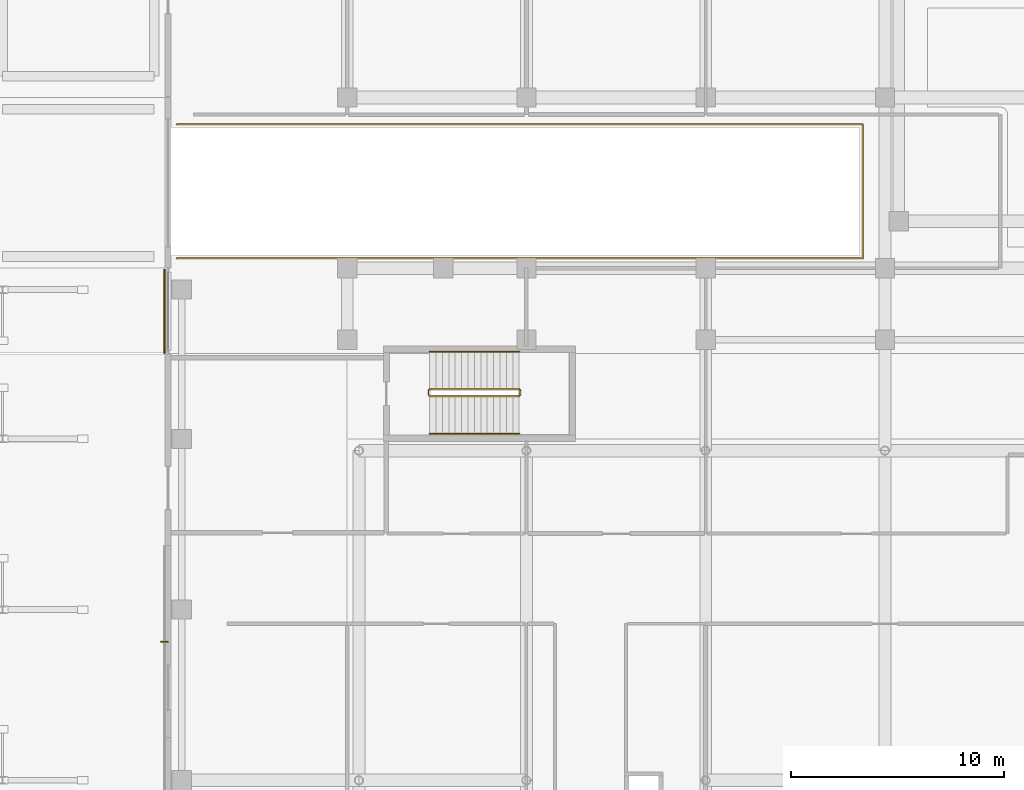
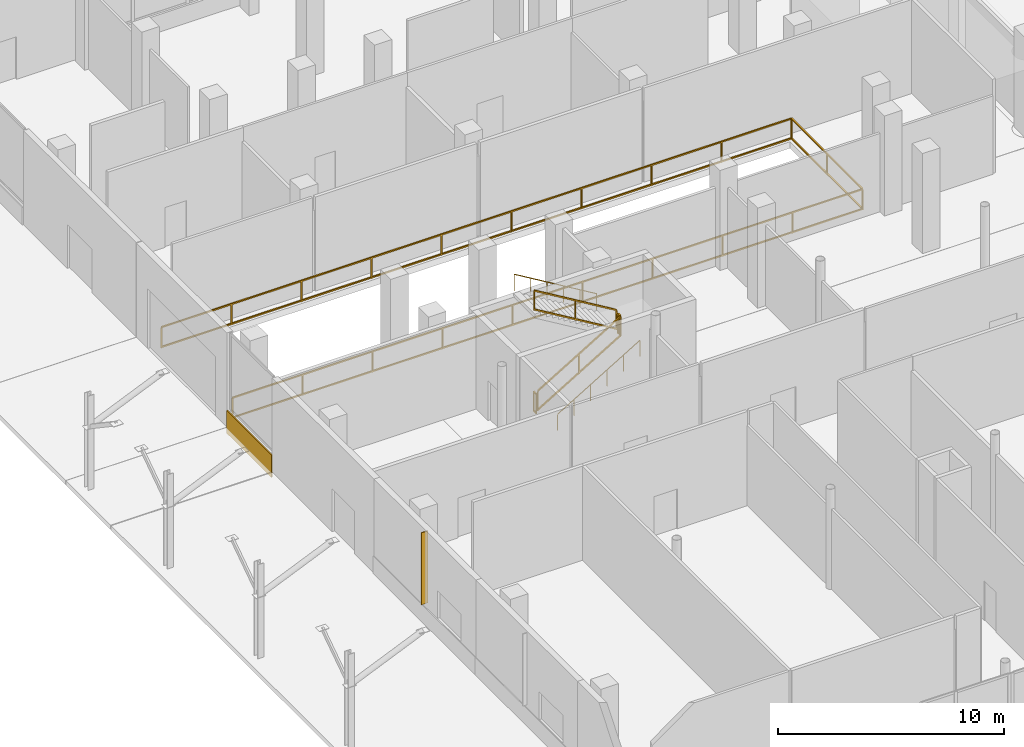
# One storey, part 152 of 158: 7 railings, 1 covering, 1 shading device.
"""IFC4 building model written with IfcOpenShell, lengths in metres."""

from ifc_helpers import new_model, si_unit, direction, frame, origin, origin_2d, place, context, subcontext, project, spatial, rectangle, circle, extrude, material, layer, layer_set, type_object, element, save


model = new_model("IFC4")

# Units and contexts
model_context = context("Model", 3, precision=1e-05, world=origin(), true_north=direction((0.0, 1.0)))
body_context = subcontext(model_context, "Body", "Model", "MODEL_VIEW")
ifc_project = project(units=[si_unit("LENGTHUNIT", "METRE"), si_unit("AREAUNIT", "SQUARE_METRE"), si_unit("VOLUMEUNIT", "CUBIC_METRE"), si_unit("PLANEANGLEUNIT", "RADIAN"), si_unit("MASSUNIT", "GRAM", prefix="KILO")], contexts=[model_context])

# Site, building, storey
site_placement = place(None, origin())
site = spatial("IfcSite", under=ifc_project, at=site_placement, CompositionType="ELEMENT")
building_placement = place(site_placement, origin())
building = spatial("IfcBuilding", under=site, at=building_placement, Name="Selatvlak General Hospital", CompositionType="ELEMENT")
storey_placement = place(building_placement, origin())
storey = spatial("IfcBuildingStorey", under=building, at=storey_placement, Name="L00", CompositionType="ELEMENT", Elevation=0.0)

# Covering
ifc_material_1 = material(Name="White Bauhaus fair-faced cladding panel")
ifc_layer_1 = layer(ifc_material_1, 0.054931640625, Name="White Bauhaus fair-faced cladding panel")
ifc_layer_set_1 = layer_set([ifc_layer_1], Name="White Bauhaus fair-faced cladding panel")
covering_type = type_object("IfcCoveringType", Name="COV-WHT1", PredefinedType="CLADDING", material=ifc_layer_set_1)
covering_placement = place(storey_placement, frame((14.235107421875, 89.97998046875, -0.27978515625), z_axis=(0.0, 0.0, 1.0), x_axis=(0.0, 1.0, 0.0)))
element("IfcCovering", 1, at=covering_placement, inside=storey, type_object=covering_type, Name="L00 Bauhaus horizontal white spandrel band 0003", PredefinedType="CLADDING", context=body_context, shape_type="SweptSolid", body=[
    extrude(rectangle(XDim=3.9609375, YDim=0.054931640625, at=origin_2d()), origin(), (0.0, 0.0, 1.0), 1.219970703125),
])

# Railings
ifc_material_2 = material(Name="Stainless steel 316 perimeter guardrail", Category="steel")
railing_type_1 = type_object("IfcRailingType", Name="RAIL-GRD1", PredefinedType="GUARDRAIL", material=ifc_material_2)
railing_1_placement = place(storey_placement, frame((14.800048828125, 98.739990234375, 0.0)))
element("IfcRailing", 2, at=railing_1_placement, inside=storey, type_object=railing_type_1, Name="L00 vehicle ramp opening continuous guard", PredefinedType="GUARDRAIL", context=body_context, shape_type="SweptSolid", body=[
    extrude(rectangle(XDim=0.068115234375, YDim=0.068115234375, at=origin_2d()), frame((0.0029296875, 0.0, 1.11572265625), z_axis=(1.0, 0.0, 0.0), x_axis=(0.0, 1.0, 0.0)), (0.0, 0.0, 1.0), 32.154052734375),
    extrude(rectangle(XDim=0.068115234375, YDim=0.068115234375, at=origin_2d()), frame((0.0029296875, 0.0, 0.049072265625), z_axis=(1.0, 0.0, 0.0), x_axis=(0.0, 1.0, 0.0)), (0.0, 0.0, 1.0), 32.154052734375),
    extrude(rectangle(XDim=0.068115234375, YDim=0.068115234375, at=origin_2d()), frame((32.159912109375, -0.0029296875, 1.11572265625), z_axis=(0.0, -1.0, 0.0), x_axis=(1.0, 0.0, 0.0)), (0.0, 0.0, 1.0), 6.274169921875),
    extrude(rectangle(XDim=0.068115234375, YDim=0.068115234375, at=origin_2d()), frame((32.159912109375, -0.0029296875, 0.049072265625), z_axis=(0.0, -1.0, 0.0), x_axis=(1.0, 0.0, 0.0)), (0.0, 0.0, 1.0), 6.274169921875),
    extrude(rectangle(XDim=0.068115234375, YDim=0.068115234375, at=origin_2d()), frame((32.156982421875, -6.280029296875, 1.11572265625), z_axis=(-1.0, 0.0, 0.0), x_axis=(0.0, -1.0, 0.0)), (0.0, 0.0, 1.0), 32.154052734375),
    extrude(rectangle(XDim=0.068115234375, YDim=0.068115234375, at=origin_2d()), frame((32.156982421875, -6.280029296875, 0.049072265625), z_axis=(-1.0, 0.0, 0.0), x_axis=(0.0, -1.0, 0.0)), (0.0, 0.0, 1.0), 32.154052734375),
    extrude(rectangle(XDim=0.055908203125, YDim=0.055908203125, at=origin_2d()), origin(), (0.0, 0.0, 1.0), 1.078857421875),
    extrude(rectangle(XDim=0.055908203125, YDim=0.055908203125, at=origin_2d()), frame((3.5732421875, 0.0, 0.0)), (0.0, 0.0, 1.0), 1.078857421875),
    extrude(rectangle(XDim=0.055908203125, YDim=0.055908203125, at=origin_2d()), frame((7.146728515625, 0.0, 0.0)), (0.0, 0.0, 1.0), 1.078857421875),
    extrude(rectangle(XDim=0.055908203125, YDim=0.055908203125, at=origin_2d()), frame((10.719970703125, 0.0, 0.0)), (0.0, 0.0, 1.0), 1.078857421875),
    extrude(rectangle(XDim=0.055908203125, YDim=0.055908203125, at=origin_2d()), frame((14.293212890625, 0.0, 0.0)), (0.0, 0.0, 1.0), 1.078857421875),
    extrude(rectangle(XDim=0.055908203125, YDim=0.055908203125, at=origin_2d()), frame((17.86669921875, 0.0, 0.0)), (0.0, 0.0, 1.0), 1.078857421875),
    extrude(rectangle(XDim=0.055908203125, YDim=0.055908203125, at=origin_2d()), frame((21.43994140625, 0.0, 0.0)), (0.0, 0.0, 1.0), 1.078857421875),
    extrude(rectangle(XDim=0.055908203125, YDim=0.055908203125, at=origin_2d()), frame((25.01318359375, 0.0, 0.0)), (0.0, 0.0, 1.0), 1.078857421875),
    extrude(rectangle(XDim=0.055908203125, YDim=0.055908203125, at=origin_2d()), frame((28.586669921875, 0.0, 0.0)), (0.0, 0.0, 1.0), 1.078857421875),
    extrude(rectangle(XDim=0.055908203125, YDim=0.055908203125, at=origin_2d()), frame((32.159912109375, 0.0, 0.0)), (0.0, 0.0, 1.0), 1.078857421875),
    extrude(rectangle(XDim=0.055908203125, YDim=0.055908203125, at=origin_2d()), frame((32.159912109375, -3.14013671875, 0.0)), (0.0, 0.0, 1.0), 1.078857421875),
    extrude(rectangle(XDim=0.055908203125, YDim=0.055908203125, at=origin_2d()), frame((32.159912109375, -6.280029296875, 0.0)), (0.0, 0.0, 1.0), 1.078857421875),
    extrude(rectangle(XDim=0.055908203125, YDim=0.055908203125, at=origin_2d()), frame((28.586669921875, -6.280029296875, 0.0)), (0.0, 0.0, 1.0), 1.078857421875),
    extrude(rectangle(XDim=0.055908203125, YDim=0.055908203125, at=origin_2d()), frame((25.01318359375, -6.280029296875, 0.0)), (0.0, 0.0, 1.0), 1.078857421875),
    extrude(rectangle(XDim=0.055908203125, YDim=0.055908203125, at=origin_2d()), frame((21.43994140625, -6.280029296875, 0.0)), (0.0, 0.0, 1.0), 1.078857421875),
    extrude(rectangle(XDim=0.055908203125, YDim=0.055908203125, at=origin_2d()), frame((17.86669921875, -6.280029296875, 0.0)), (0.0, 0.0, 1.0), 1.078857421875),
    extrude(rectangle(XDim=0.055908203125, YDim=0.055908203125, at=origin_2d()), frame((14.293212890625, -6.280029296875, 0.0)), (0.0, 0.0, 1.0), 1.078857421875),
    extrude(rectangle(XDim=0.055908203125, YDim=0.055908203125, at=origin_2d()), frame((10.719970703125, -6.280029296875, 0.0)), (0.0, 0.0, 1.0), 1.078857421875),
    extrude(rectangle(XDim=0.055908203125, YDim=0.055908203125, at=origin_2d()), frame((7.146728515625, -6.280029296875, 0.0)), (0.0, 0.0, 1.0), 1.078857421875),
    extrude(rectangle(XDim=0.055908203125, YDim=0.055908203125, at=origin_2d()), frame((3.5732421875, -6.280029296875, 0.0)), (0.0, 0.0, 1.0), 1.078857421875),
    extrude(rectangle(XDim=0.055908203125, YDim=0.055908203125, at=origin_2d()), frame((0.0, -6.280029296875, 0.0)), (0.0, 0.0, 1.0), 1.078857421875),
])
ifc_material_3 = material(Name="Stainless steel 316 stair guard", Category="steel")
railing_type_2 = type_object("IfcRailingType", Name="RAIL-STG", PredefinedType="GUARDRAIL", material=ifc_material_3)
railing_2_placement = place(storey_placement, frame((26.659912109375, 86.010009765625, 0.179931640625)))
element("IfcRailing", 3, at=railing_2_placement, inside=storey, type_object=railing_type_2, Name="L00 ST-07 stair guard 1", PredefinedType="GUARDRAIL", context=body_context, shape_type="SweptSolid", body=[
    extrude(rectangle(XDim=0.068115234375, YDim=0.068115234375, at=origin_2d()), frame((0.00244140625, 0.0, 1.067626953125), z_axis=(0.857501721439, 0.0, 0.514481095599), x_axis=(0.0, 1.0, 0.0)), (0.0, 0.0, 1.0), 4.892333984375),
    extrude(rectangle(XDim=0.068115234375, YDim=0.068115234375, at=origin_2d()), frame((0.00244140625, 0.0, 0.050537109375), z_axis=(0.857501721439, 0.0, 0.514481095599), x_axis=(0.0, 1.0, 0.0)), (0.0, 0.0, 1.0), 4.892333984375),
    extrude(rectangle(XDim=0.055908203125, YDim=0.055908203125, at=origin_2d()), origin(), (0.0, 0.0, 1.0), 1.029052734375),
    extrude(rectangle(XDim=0.055908203125, YDim=0.055908203125, at=origin_2d()), frame((2.10009765625, 0.0, 1.260009765625)), (0.0, 0.0, 1.0), 1.029052734375),
    extrude(rectangle(XDim=0.055908203125, YDim=0.055908203125, at=origin_2d()), frame((4.2001953125, 0.0, 2.52001953125)), (0.0, 0.0, 1.0), 1.029052734375),
])
railing_3_placement = place(storey_placement, frame((30.909912109375, 86.06005859375, 2.699951171875)))
element("IfcRailing", 4, at=railing_3_placement, inside=storey, type_object=railing_type_2, Name="L00 ST-07 stair guard 2", PredefinedType="GUARDRAIL", context=body_context, shape_type="SweptSolid", body=[
    extrude(rectangle(XDim=0.068115234375, YDim=0.068115234375, at=origin_2d()), frame((0.0, 0.0029296875, 1.06591796875), z_axis=(0.0, 1.0, 0.0), x_axis=(-1.0, 0.0, 0.0)), (0.0, 0.0, 1.0), 0.214111328125),
    extrude(rectangle(XDim=0.068115234375, YDim=0.068115234375, at=origin_2d()), frame((0.0, 0.0029296875, 0.049072265625), z_axis=(0.0, 1.0, 0.0), x_axis=(-1.0, 0.0, 0.0)), (0.0, 0.0, 1.0), 0.214111328125),
    extrude(rectangle(XDim=0.055908203125, YDim=0.055908203125, at=origin_2d()), origin(), (0.0, 0.0, 1.0), 1.029052734375),
    extrude(rectangle(XDim=0.055908203125, YDim=0.055908203125, at=origin_2d()), frame((0.0, 0.219970703125, 0.0)), (0.0, 0.0, 1.0), 1.029052734375),
])
railing_4_placement = place(storey_placement, frame((30.860107421875, 86.330078125, 2.8798828125)))
element("IfcRailing", 5, at=railing_4_placement, inside=storey, type_object=railing_type_2, Name="L00 ST-07 stair guard 3", PredefinedType="GUARDRAIL", context=body_context, shape_type="SweptSolid", body=[
    extrude(rectangle(XDim=0.068115234375, YDim=0.068115234375, at=origin_2d()), frame((-0.00244140625, 0.0, 1.067626953125), z_axis=(-0.857501721439, 0.0, 0.514481095599), x_axis=(0.0, -1.0, 0.0)), (0.0, 0.0, 1.0), 4.892333984375),
    extrude(rectangle(XDim=0.068115234375, YDim=0.068115234375, at=origin_2d()), frame((-0.00244140625, 0.0, 0.050537109375), z_axis=(-0.857501721439, 0.0, 0.514481095599), x_axis=(0.0, -1.0, 0.0)), (0.0, 0.0, 1.0), 4.892333984375),
    extrude(rectangle(XDim=0.055908203125, YDim=0.055908203125, at=origin_2d()), origin(), (0.0, 0.0, 1.0), 1.029052734375),
    extrude(rectangle(XDim=0.055908203125, YDim=0.055908203125, at=origin_2d()), frame((-2.10009765625, 0.0, 1.260009765625)), (0.0, 0.0, 1.0), 1.029052734375),
    extrude(rectangle(XDim=0.055908203125, YDim=0.055908203125, at=origin_2d()), frame((-4.2001953125, 0.0, 2.52001953125)), (0.0, 0.0, 1.0), 1.029052734375),
])
railing_5_placement = place(storey_placement, frame((26.610107421875, 86.06005859375, 0.0)))
element("IfcRailing", 6, at=railing_5_placement, inside=storey, type_object=railing_type_2, Name="L00 ST-07 stair guard 4", PredefinedType="GUARDRAIL", context=body_context, shape_type="SweptSolid", body=[
    extrude(rectangle(XDim=0.068115234375, YDim=0.068115234375, at=origin_2d()), frame((0.0, 0.0029296875, 1.06591796875), z_axis=(0.0, 1.0, 0.0), x_axis=(-1.0, 0.0, 0.0)), (0.0, 0.0, 1.0), 0.214111328125),
    extrude(rectangle(XDim=0.068115234375, YDim=0.068115234375, at=origin_2d()), frame((0.0, 0.0029296875, 0.049072265625), z_axis=(0.0, 1.0, 0.0), x_axis=(-1.0, 0.0, 0.0)), (0.0, 0.0, 1.0), 0.214111328125),
    extrude(rectangle(XDim=0.055908203125, YDim=0.055908203125, at=origin_2d()), origin(), (0.0, 0.0, 1.0), 1.029052734375),
    extrude(rectangle(XDim=0.055908203125, YDim=0.055908203125, at=origin_2d()), frame((0.0, 0.219970703125, 0.0)), (0.0, 0.0, 1.0), 1.029052734375),
])
ifc_material_4 = material(Name="Stainless steel 316 handrail", Category="steel")
railing_type_3 = type_object("IfcRailingType", Name="RAIL-STH", PredefinedType="HANDRAIL", material=ifc_material_4)
railing_6_placement = place(storey_placement, frame((26.659912109375, 84.25, 0.179931640625)))
element("IfcRailing", 7, at=railing_6_placement, inside=storey, type_object=railing_type_3, Name="L00 ST-07 stair handrail 1", PredefinedType="HANDRAIL", context=body_context, shape_type="SweptSolid", body=[
    extrude(circle(Radius=0.02392578125, at=origin_2d()), frame((0.00244140625, 0.0, 0.87744140625), z_axis=(0.857501721439, 0.0, 0.514481095599), x_axis=(0.0, 1.0, 0.0)), (0.0, 0.0, 1.0), 4.892333984375),
    extrude(circle(Radius=0.02099609375, at=origin_2d()), origin(), (0.0, 0.0, 1.0), 0.848876953125),
    extrude(circle(Radius=0.02099609375, at=origin_2d()), frame((0.840087890625, 0.0, 0.50390625)), (0.0, 0.0, 1.0), 0.848876953125),
    extrude(circle(Radius=0.02099609375, at=origin_2d()), frame((1.68017578125, 0.0, 1.008056640625)), (0.0, 0.0, 1.0), 0.848876953125),
    extrude(circle(Radius=0.02099609375, at=origin_2d()), frame((2.52001953125, 0.0, 1.511962890625)), (0.0, 0.0, 1.0), 0.848876953125),
    extrude(circle(Radius=0.02099609375, at=origin_2d()), frame((3.360107421875, 0.0, 2.01611328125)), (0.0, 0.0, 1.0), 0.848876953125),
    extrude(circle(Radius=0.02099609375, at=origin_2d()), frame((4.2001953125, 0.0, 2.52001953125)), (0.0, 0.0, 1.0), 0.848876953125),
])
railing_7_placement = place(storey_placement, frame((30.860107421875, 88.090087890625, 2.8798828125)))
element("IfcRailing", 8, at=railing_7_placement, inside=storey, type_object=railing_type_3, Name="L00 ST-07 stair handrail 2", PredefinedType="HANDRAIL", context=body_context, shape_type="SweptSolid", body=[
    extrude(circle(Radius=0.02392578125, at=origin_2d()), frame((-0.00244140625, 0.0, 0.87744140625), z_axis=(-0.857501721439, 0.0, 0.514481095599), x_axis=(0.0, -1.0, 0.0)), (0.0, 0.0, 1.0), 4.892333984375),
    extrude(circle(Radius=0.02099609375, at=origin_2d()), origin(), (0.0, 0.0, 1.0), 0.848876953125),
    extrude(circle(Radius=0.02099609375, at=origin_2d()), frame((-0.840087890625, 0.0, 0.50390625)), (0.0, 0.0, 1.0), 0.848876953125),
    extrude(circle(Radius=0.02099609375, at=origin_2d()), frame((-1.68017578125, 0.0, 1.008056640625)), (0.0, 0.0, 1.0), 0.848876953125),
    extrude(circle(Radius=0.02099609375, at=origin_2d()), frame((-2.52001953125, 0.0, 1.511962890625)), (0.0, 0.0, 1.0), 0.848876953125),
    extrude(circle(Radius=0.02099609375, at=origin_2d()), frame((-3.360107421875, 0.0, 2.01611328125)), (0.0, 0.0, 1.0), 0.848876953125),
    extrude(circle(Radius=0.02099609375, at=origin_2d()), frame((-4.2001953125, 0.0, 2.52001953125)), (0.0, 0.0, 1.0), 0.848876953125),
])

# Shading device
ifc_material_5 = material(Name="Anodised aluminium brise-soleil fin", Category="aluminium")
ifc_layer_2 = layer(ifc_material_5, 0.044921875, Name="Anodised aluminium brise-soleil fin", Category="aluminium")
ifc_layer_set_2 = layer_set([ifc_layer_2], Name="Anodised aluminium brise-soleil fin")
shading_device_type = type_object("IfcShadingDeviceType", Name="SHD-FIN1", PredefinedType="USERDEFINED", material=ifc_layer_set_2)
shading_device_placement = place(storey_placement, frame((14.22802734375, 74.4990234375, 1.10009765625), z_axis=(0.0, 0.0, 1.0), x_axis=(-1.0, 0.0, 0.0)))
element("IfcShadingDevice", 9, at=shading_device_placement, inside=storey, type_object=shading_device_type, Name="L00 monsoon vertical brise-soleil fin 144", ObjectType="SUNSHADE", PredefinedType="USERDEFINED", context=body_context, shape_type="SweptSolid", body=[
    extrude(rectangle(XDim=0.35009765625, YDim=0.044921875, at=origin_2d()), origin(), (0.0, 0.0, 1.0), 3.8798828125),
])

save(model, "model.ifc")
